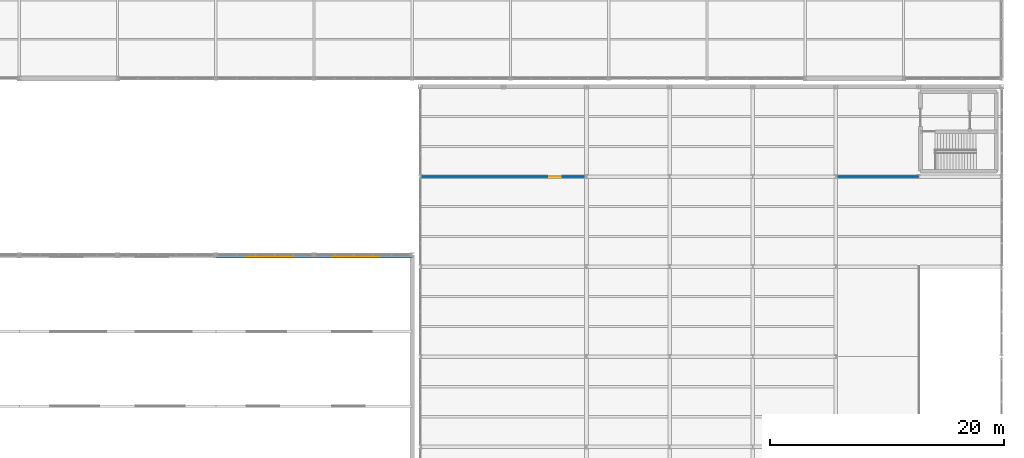
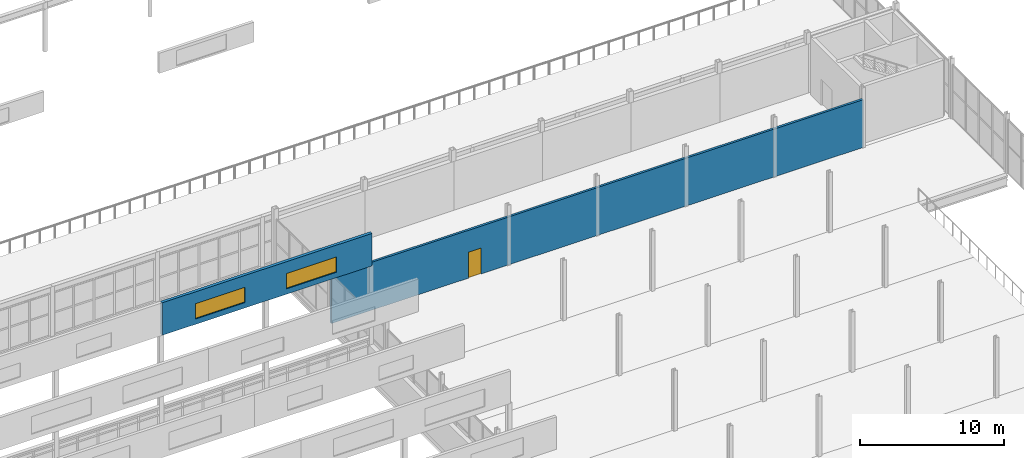
# One storey, part 206 of 218: 2 walls, 2 windows, 1 door, 3 openings.
"""IFC4 building model written with IfcOpenShell, lengths in metres."""

from ifc_helpers import new_model, si_unit, direction, frame, frame_2d, origin, place, context, subcontext, project, spatial, rectangle, extrude, material, layer, layer_set, type_object, element, fill, save


model = new_model("IFC4")

# Units and contexts
model_context = context("Model", 3, precision=1e-05, world=origin(), true_north=direction((0.0, 1.0)))
body_context = subcontext(model_context, "Body", "Model", "MODEL_VIEW")
ifc_project = project(units=[si_unit("LENGTHUNIT", "METRE"), si_unit("AREAUNIT", "SQUARE_METRE"), si_unit("VOLUMEUNIT", "CUBIC_METRE"), si_unit("PLANEANGLEUNIT", "RADIAN"), si_unit("MASSUNIT", "GRAM", prefix="KILO")], contexts=[model_context])

# Site, building, storey
site_placement = place(None, origin())
site = spatial("IfcSite", under=ifc_project, at=site_placement, CompositionType="ELEMENT")
building_placement = place(site_placement, origin())
building = spatial("IfcBuilding", under=site, at=building_placement, Name="Kazenagashi Tramway Depot", CompositionType="ELEMENT")
storey_placement = place(building_placement, frame((0.0, 0.0, 6.0)))
storey = spatial("IfcBuildingStorey", under=building, at=storey_placement, Name="L02", CompositionType="ELEMENT", Elevation=6.0)

# Wall, openings, windows
ifc_material_1 = material(Name="Galvanised Steel Sheet Insulated Monitor Wall", Category="steel")
ifc_layer_1 = layer(ifc_material_1, 0.24)
ifc_layer_set_1 = layer_set([ifc_layer_1], Name="Galvanised Steel Sheet Insulated Monitor Wall")
wall_type_1 = type_object("IfcWallType", Name="W-MN1", PredefinedType="SOLIDWALL", material=ifc_layer_set_1)
wall_1_placement = place(storey_placement, frame((128.8, 54.76, 9.3), z_axis=(0.0, 0.0, 1.0), x_axis=(1.0, 0.0, 0.0)))
wall_1 = element("IfcWall", 1, at=wall_1_placement, inside=storey, type_object=wall_type_1, Name="Exterior Brick Wall W-MN1 EWALL-0154", PredefinedType="SOLIDWALL", context=body_context, shape_type="SweptSolid", body=[
    extrude(rectangle(XDim=16.8, YDim=0.24, at=frame_2d((8.4, 0.0))), origin(), (0.0, 0.0, 1.0), 2.75),
])
opening_1_placement = place(wall_1_placement, frame((2.64, 0.0, 0.45)))
opening_1 = element("IfcOpeningElement", 2, at=opening_1_placement, cuts=wall_1, Name="Opening SK-07", PredefinedType="OPENING", context=body_context, shape_type="SweptSolid", body=[
    extrude(rectangle(XDim=4.0, YDim=1.3, at=frame_2d((2.0, 0.65))), frame((0.0, 0.13, 0.0), z_axis=(0.0, -1.0, 0.0), x_axis=(1.0, 0.0, 0.0)), (0.0, 0.0, 1.0), 0.26),
])
opening_2_placement = place(wall_1_placement, frame((9.94, 0.0, 0.45)))
opening_2 = element("IfcOpeningElement", 3, at=opening_2_placement, cuts=wall_1, Name="Opening SK-07", PredefinedType="OPENING", context=body_context, shape_type="SweptSolid", body=[
    extrude(rectangle(XDim=4.0, YDim=1.3, at=frame_2d((2.0, 0.65))), frame((0.0, 0.13, 0.0), z_axis=(0.0, -1.0, 0.0), x_axis=(1.0, 0.0, 0.0)), (0.0, 0.0, 1.0), 0.26),
])
ifc_material_2 = material(Name="Wired Fire-Rated Glass and Aluminium Frame", Category="aluminium")
window_type = type_object("IfcWindowType", Name="SK-07", PartitioningType="SINGLE_PANEL", PredefinedType="SKYLIGHT", material=ifc_material_2)
window_1_placement = place(opening_1_placement, origin())
window_1 = element("IfcWindow", 4, at=window_1_placement, inside=storey, type_object=window_type, Name="Window SK-07 WIN-0152", OverallHeight=1.3, OverallWidth=4.0, PartitioningType="SINGLE_PANEL", PredefinedType="SKYLIGHT", context=body_context, shape_type="SweptSolid", body=[
    extrude(rectangle(XDim=4.0, YDim=1.3, at=frame_2d((2.0, 0.65))), frame((0.0, 0.03, 0.0), z_axis=(0.0, -1.0, 0.0), x_axis=(1.0, 0.0, 0.0)), (0.0, 0.0, 1.0), 0.06),
])
fill(opening_1, window_1)
window_2_placement = place(opening_2_placement, origin())
window_2 = element("IfcWindow", 5, at=window_2_placement, inside=storey, type_object=window_type, Name="Window SK-07 WIN-0153", OverallHeight=1.3, OverallWidth=4.0, PartitioningType="SINGLE_PANEL", PredefinedType="SKYLIGHT", context=body_context, shape_type="SweptSolid", body=[
    extrude(rectangle(XDim=4.0, YDim=1.3, at=frame_2d((2.0, 0.65))), frame((0.0, 0.03, 0.0), z_axis=(0.0, -1.0, 0.0), x_axis=(1.0, 0.0, 0.0)), (0.0, 0.0, 1.0), 0.06),
])
fill(opening_2, window_2)

# Wall, opening, door
ifc_material_3 = material(Name="Gypsum Plasterboard Partition", Category="gypsum")
ifc_layer_2 = layer(ifc_material_3, 0.18)
ifc_layer_set_2 = layer_set([ifc_layer_2], Name="Gypsum Plasterboard Partition")
wall_type_2 = type_object("IfcWallType", Name="W-PT4", PredefinedType="PARTITIONING", material=ifc_layer_set_2)
wall_2_placement = place(storey_placement, frame((146.3, 61.6, 0.0), z_axis=(0.0, 0.0, 1.0), x_axis=(1.0, 0.0, 0.0)))
wall_2 = element("IfcWall", 6, at=wall_2_placement, inside=storey, type_object=wall_type_2, Name="Interior Partition W-PT4 IWALL-0269", PredefinedType="PARTITIONING", context=body_context, shape_type="SweptSolid", body=[
    extrude(rectangle(XDim=42.6, YDim=0.18, at=frame_2d((21.3, 0.0))), origin(), (0.0, 0.0, 1.0), 4.05),
])
opening_3_placement = place(wall_2_placement, frame((11.0, 0.0, 0.0)))
opening_3 = element("IfcOpeningElement", 7, at=opening_3_placement, cuts=wall_2, Name="Opening D-174", PredefinedType="OPENING", context=body_context, shape_type="SweptSolid", body=[
    extrude(rectangle(XDim=1.0, YDim=2.2, at=frame_2d((0.5, 1.1))), frame((0.0, 0.1, 0.0), z_axis=(0.0, -1.0, 0.0), x_axis=(1.0, 0.0, 0.0)), (0.0, 0.0, 1.0), 0.2),
])
ifc_material_4 = material(Name="Powder-Coated Steel Door", Category="steel")
door_type = type_object("IfcDoorType", Name="DT-11", OperationType="NOTDEFINED", PredefinedType="DOOR", material=ifc_material_4)
door_placement = place(opening_3_placement, origin())
door = element("IfcDoor", 8, at=door_placement, inside=storey, type_object=door_type, Name="Interior Door D-174", OperationType="SINGLE_SWING_LEFT", OverallHeight=2.2, OverallWidth=1.0, PredefinedType="DOOR", context=body_context, shape_type="SweptSolid", body=[
    extrude(rectangle(XDim=1.0, YDim=2.2, at=frame_2d((0.5, 1.1))), frame((0.0, 0.025, 0.0), z_axis=(0.0, -1.0, 0.0), x_axis=(1.0, 0.0, 0.0)), (0.0, 0.0, 1.0), 0.05),
])
fill(opening_3, door)

save(model, "model.ifc")
